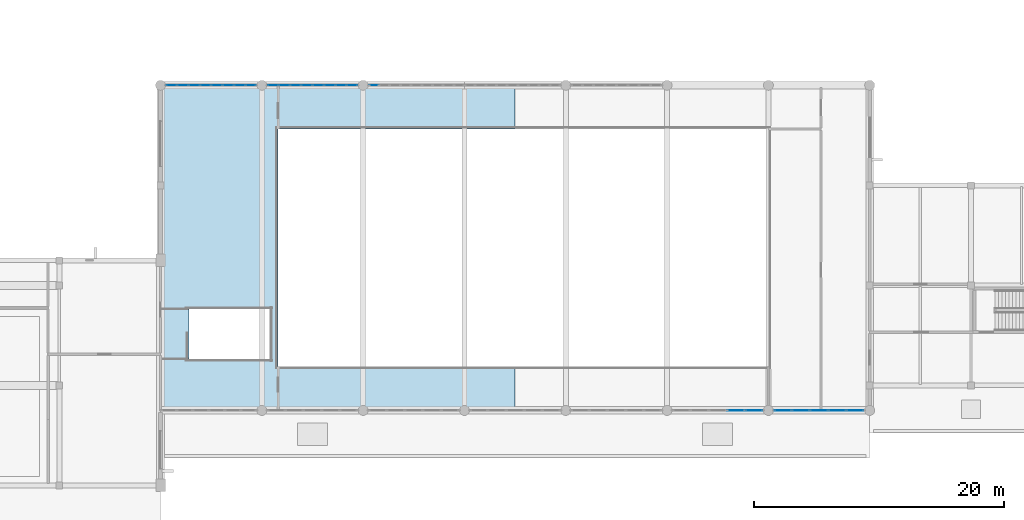
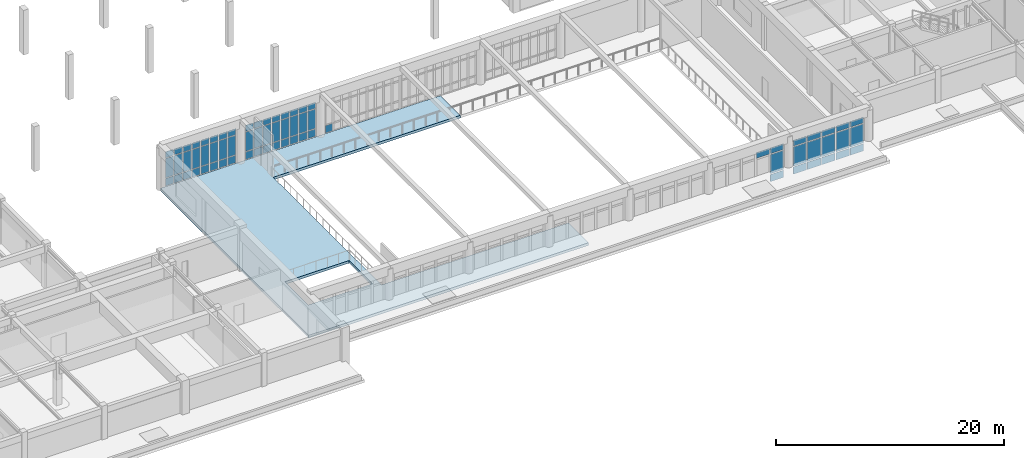
# One storey, part 31 of 61: 68 plates, 1 slab, 5 elements without a shape of their own.
"""IFC4 building model written with IfcOpenShell, lengths in metres."""

from ifc_helpers import new_model, si_unit, direction, frame, origin, origin_2d, place, context, subcontext, project, spatial, polyline, rectangle, outline, extrude, material, layer, layer_set, type_object, element, aggregate, save


model = new_model("IFC4")

# Units and contexts
model_context = context("Model", 3, precision=1e-05, world=origin(), true_north=direction((0.0, 1.0)))
body_context = subcontext(model_context, "Body", "Model", "MODEL_VIEW")
ifc_project = project(units=[si_unit("LENGTHUNIT", "METRE"), si_unit("AREAUNIT", "SQUARE_METRE"), si_unit("VOLUMEUNIT", "CUBIC_METRE"), si_unit("PLANEANGLEUNIT", "RADIAN"), si_unit("MASSUNIT", "GRAM", prefix="KILO")], contexts=[model_context])

# Site, building, storey
site_placement = place(None, origin())
site = spatial("IfcSite", under=ifc_project, at=site_placement, CompositionType="ELEMENT")
building_placement = place(site_placement, origin())
building = spatial("IfcBuilding", under=site, at=building_placement, Name="Tarnveldt Square Police Headquarters", CompositionType="ELEMENT")
storey_placement = place(building_placement, frame((0.0, 0.0, 5.39990234375)))
storey = spatial("IfcBuildingStorey", under=building, at=storey_placement, Name="L01", CompositionType="ELEMENT", Elevation=5.39990234375)

# Curtain wall, plates
ifc_material_1 = material(Name="Triple-glazed low-e laminated vision glass", Category="glass")
curtain_wall_type_1 = type_object("IfcCurtainWallType", Name="CW-EH-727x379", PredefinedType="USERDEFINED", material=ifc_material_1)
curtain_wall_1_placement = place(storey_placement, origin())
curtain_wall_1 = element("IfcCurtainWall", 1, at=curtain_wall_1_placement, inside=storey, type_object=curtain_wall_type_1, Name="L01 Curtain Wall CW-L01-012", ObjectType="GLAZED CURTAIN WALL", PredefinedType="USERDEFINED")
ifc_layer_1 = layer(ifc_material_1, 0.028076171875)
ifc_layer_set_1 = layer_set([ifc_layer_1], Name="Triple-glazed low-e laminated vision glass")
plate_type = type_object("IfcPlateType", Name="CWP-VIS-28", PredefinedType="CURTAIN_PANEL", material=ifc_layer_set_1)
plate_1_placement = place(storey_placement, frame((110.803955078125, 22.0, 3.08447265625), z_axis=(0.0, 0.0, 1.0), x_axis=(1.0, 0.0, 0.0)))
plate_1 = element("IfcPlate", 2, at=plate_1_placement, type_object=plate_type, Name="CW-EH05 panel 4.3", PredefinedType="CURTAIN_PANEL", context=body_context, shape_type="SweptSolid", body=[
    extrude(rectangle(XDim=1.368896484375, YDim=0.028076171875, at=origin_2d()), origin(), (0.0, 0.0, 1.0), 0.62255859375),
])
plate_2_placement = place(storey_placement, frame((112.23681640625, 22.0, 0.085205078125), z_axis=(0.0, 0.0, 1.0), x_axis=(1.0, 0.0, 0.0)))
plate_2 = element("IfcPlate", 3, at=plate_2_placement, type_object=plate_type, Name="CW-EH05 panel 5.1", PredefinedType="CURTAIN_PANEL", context=body_context, shape_type="SweptSolid", body=[
    extrude(rectangle(XDim=1.326416015625, YDim=0.028076171875, at=origin_2d()), origin(), (0.0, 0.0, 1.0), 0.7724609375),
])
plate_3_placement = place(storey_placement, frame((112.23681640625, 22.0, 0.94287109375), z_axis=(0.0, 0.0, 1.0), x_axis=(1.0, 0.0, 0.0)))
plate_3 = element("IfcPlate", 4, at=plate_3_placement, type_object=plate_type, Name="CW-EH05 panel 5.2", PredefinedType="CURTAIN_PANEL", context=body_context, shape_type="SweptSolid", body=[
    extrude(rectangle(XDim=1.326416015625, YDim=0.028076171875, at=origin_2d()), origin(), (0.0, 0.0, 1.0), 2.056884765625),
])
plate_4_placement = place(storey_placement, frame((112.23681640625, 22.0, 3.08447265625), z_axis=(0.0, 0.0, 1.0), x_axis=(1.0, 0.0, 0.0)))
plate_4 = element("IfcPlate", 5, at=plate_4_placement, type_object=plate_type, Name="CW-EH05 panel 5.3", PredefinedType="CURTAIN_PANEL", context=body_context, shape_type="SweptSolid", body=[
    extrude(rectangle(XDim=1.326416015625, YDim=0.028076171875, at=origin_2d()), origin(), (0.0, 0.0, 1.0), 0.62255859375),
])
aggregate(curtain_wall_1, [plate_1, plate_2, plate_3, plate_4])

curtain_wall_2_placement = place(storey_placement, origin())
curtain_wall_2 = element("IfcCurtainWall", 6, at=curtain_wall_2_placement, inside=storey, type_object=curtain_wall_type_1, Name="L01 Curtain Wall CW-L01-013", ObjectType="GLAZED CURTAIN WALL", PredefinedType="USERDEFINED")
plate_5_placement = place(storey_placement, frame((114.563232421875, 22.0, 0.085205078125), z_axis=(0.0, 0.0, 1.0), x_axis=(1.0, 0.0, 0.0)))
plate_5 = element("IfcPlate", 7, at=plate_5_placement, type_object=plate_type, Name="CW-EH05 panel 1.1", PredefinedType="CURTAIN_PANEL", context=body_context, shape_type="SweptSolid", body=[
    extrude(rectangle(XDim=1.326416015625, YDim=0.028076171875, at=origin_2d()), origin(), (0.0, 0.0, 1.0), 0.7724609375),
])
plate_6_placement = place(storey_placement, frame((114.563232421875, 22.0, 0.94287109375), z_axis=(0.0, 0.0, 1.0), x_axis=(1.0, 0.0, 0.0)))
plate_6 = element("IfcPlate", 8, at=plate_6_placement, type_object=plate_type, Name="CW-EH05 panel 1.2", PredefinedType="CURTAIN_PANEL", context=body_context, shape_type="SweptSolid", body=[
    extrude(rectangle(XDim=1.326416015625, YDim=0.028076171875, at=origin_2d()), origin(), (0.0, 0.0, 1.0), 2.056884765625),
])
plate_7_placement = place(storey_placement, frame((114.563232421875, 22.0, 3.08447265625), z_axis=(0.0, 0.0, 1.0), x_axis=(1.0, 0.0, 0.0)))
plate_7 = element("IfcPlate", 9, at=plate_7_placement, type_object=plate_type, Name="CW-EH05 panel 1.3", PredefinedType="CURTAIN_PANEL", context=body_context, shape_type="SweptSolid", body=[
    extrude(rectangle(XDim=1.326416015625, YDim=0.028076171875, at=origin_2d()), origin(), (0.0, 0.0, 1.0), 0.62255859375),
])
plate_8_placement = place(storey_placement, frame((115.99609375, 22.0, 0.085205078125), z_axis=(0.0, 0.0, 1.0), x_axis=(1.0, 0.0, 0.0)))
plate_8 = element("IfcPlate", 10, at=plate_8_placement, type_object=plate_type, Name="CW-EH05 panel 2.1", PredefinedType="CURTAIN_PANEL", context=body_context, shape_type="SweptSolid", body=[
    extrude(rectangle(XDim=1.368896484375, YDim=0.028076171875, at=origin_2d()), origin(), (0.0, 0.0, 1.0), 0.7724609375),
])
plate_9_placement = place(storey_placement, frame((115.99609375, 22.0, 0.94287109375), z_axis=(0.0, 0.0, 1.0), x_axis=(1.0, 0.0, 0.0)))
plate_9 = element("IfcPlate", 11, at=plate_9_placement, type_object=plate_type, Name="CW-EH05 panel 2.2", PredefinedType="CURTAIN_PANEL", context=body_context, shape_type="SweptSolid", body=[
    extrude(rectangle(XDim=1.368896484375, YDim=0.028076171875, at=origin_2d()), origin(), (0.0, 0.0, 1.0), 2.056884765625),
])
plate_10_placement = place(storey_placement, frame((115.99609375, 22.0, 3.08447265625), z_axis=(0.0, 0.0, 1.0), x_axis=(1.0, 0.0, 0.0)))
plate_10 = element("IfcPlate", 12, at=plate_10_placement, type_object=plate_type, Name="CW-EH05 panel 2.3", PredefinedType="CURTAIN_PANEL", context=body_context, shape_type="SweptSolid", body=[
    extrude(rectangle(XDim=1.368896484375, YDim=0.028076171875, at=origin_2d()), origin(), (0.0, 0.0, 1.0), 0.62255859375),
])
plate_11_placement = place(storey_placement, frame((117.449951171875, 22.0, 0.085205078125), z_axis=(0.0, 0.0, 1.0), x_axis=(1.0, 0.0, 0.0)))
plate_11 = element("IfcPlate", 13, at=plate_11_placement, type_object=plate_type, Name="CW-EH05 panel 3.1", PredefinedType="CURTAIN_PANEL", context=body_context, shape_type="SweptSolid", body=[
    extrude(rectangle(XDim=1.368896484375, YDim=0.028076171875, at=origin_2d()), origin(), (0.0, 0.0, 1.0), 0.7724609375),
])
plate_12_placement = place(storey_placement, frame((117.449951171875, 22.0, 0.94287109375), z_axis=(0.0, 0.0, 1.0), x_axis=(1.0, 0.0, 0.0)))
plate_12 = element("IfcPlate", 14, at=plate_12_placement, type_object=plate_type, Name="CW-EH05 panel 3.2", PredefinedType="CURTAIN_PANEL", context=body_context, shape_type="SweptSolid", body=[
    extrude(rectangle(XDim=1.368896484375, YDim=0.028076171875, at=origin_2d()), origin(), (0.0, 0.0, 1.0), 2.056884765625),
])
plate_13_placement = place(storey_placement, frame((117.449951171875, 22.0, 3.08447265625), z_axis=(0.0, 0.0, 1.0), x_axis=(1.0, 0.0, 0.0)))
plate_13 = element("IfcPlate", 15, at=plate_13_placement, type_object=plate_type, Name="CW-EH05 panel 3.3", PredefinedType="CURTAIN_PANEL", context=body_context, shape_type="SweptSolid", body=[
    extrude(rectangle(XDim=1.368896484375, YDim=0.028076171875, at=origin_2d()), origin(), (0.0, 0.0, 1.0), 0.62255859375),
])
plate_14_placement = place(storey_placement, frame((118.904052734375, 22.0, 0.085205078125), z_axis=(0.0, 0.0, 1.0), x_axis=(1.0, 0.0, 0.0)))
plate_14 = element("IfcPlate", 16, at=plate_14_placement, type_object=plate_type, Name="CW-EH05 panel 4.1", PredefinedType="CURTAIN_PANEL", context=body_context, shape_type="SweptSolid", body=[
    extrude(rectangle(XDim=1.368896484375, YDim=0.028076171875, at=origin_2d()), origin(), (0.0, 0.0, 1.0), 0.7724609375),
])
plate_15_placement = place(storey_placement, frame((118.904052734375, 22.0, 0.94287109375), z_axis=(0.0, 0.0, 1.0), x_axis=(1.0, 0.0, 0.0)))
plate_15 = element("IfcPlate", 17, at=plate_15_placement, type_object=plate_type, Name="CW-EH05 panel 4.2", PredefinedType="CURTAIN_PANEL", context=body_context, shape_type="SweptSolid", body=[
    extrude(rectangle(XDim=1.368896484375, YDim=0.028076171875, at=origin_2d()), origin(), (0.0, 0.0, 1.0), 2.056884765625),
])
plate_16_placement = place(storey_placement, frame((118.904052734375, 22.0, 3.08447265625), z_axis=(0.0, 0.0, 1.0), x_axis=(1.0, 0.0, 0.0)))
plate_16 = element("IfcPlate", 18, at=plate_16_placement, type_object=plate_type, Name="CW-EH05 panel 4.3", PredefinedType="CURTAIN_PANEL", context=body_context, shape_type="SweptSolid", body=[
    extrude(rectangle(XDim=1.368896484375, YDim=0.028076171875, at=origin_2d()), origin(), (0.0, 0.0, 1.0), 0.62255859375),
])
plate_17_placement = place(storey_placement, frame((120.336669921875, 22.0, 0.085205078125), z_axis=(0.0, 0.0, 1.0), x_axis=(1.0, 0.0, 0.0)))
plate_17 = element("IfcPlate", 19, at=plate_17_placement, type_object=plate_type, Name="CW-EH05 panel 5.1", PredefinedType="CURTAIN_PANEL", context=body_context, shape_type="SweptSolid", body=[
    extrude(rectangle(XDim=1.326416015625, YDim=0.028076171875, at=origin_2d()), origin(), (0.0, 0.0, 1.0), 0.7724609375),
])
plate_18_placement = place(storey_placement, frame((120.336669921875, 22.0, 0.94287109375), z_axis=(0.0, 0.0, 1.0), x_axis=(1.0, 0.0, 0.0)))
plate_18 = element("IfcPlate", 20, at=plate_18_placement, type_object=plate_type, Name="CW-EH05 panel 5.2", PredefinedType="CURTAIN_PANEL", context=body_context, shape_type="SweptSolid", body=[
    extrude(rectangle(XDim=1.326416015625, YDim=0.028076171875, at=origin_2d()), origin(), (0.0, 0.0, 1.0), 2.056884765625),
])
plate_19_placement = place(storey_placement, frame((120.336669921875, 22.0, 3.08447265625), z_axis=(0.0, 0.0, 1.0), x_axis=(1.0, 0.0, 0.0)))
plate_19 = element("IfcPlate", 21, at=plate_19_placement, type_object=plate_type, Name="CW-EH05 panel 5.3", PredefinedType="CURTAIN_PANEL", context=body_context, shape_type="SweptSolid", body=[
    extrude(rectangle(XDim=1.326416015625, YDim=0.028076171875, at=origin_2d()), origin(), (0.0, 0.0, 1.0), 0.62255859375),
])
aggregate(curtain_wall_2, [plate_5, plate_6, plate_7, plate_8, plate_9, plate_10, plate_11, plate_12, plate_13, plate_14, plate_15, plate_16, plate_17, plate_18, plate_19])

curtain_wall_type_2 = type_object("IfcCurtainWallType", Name="CW-CT-727x379", PredefinedType="USERDEFINED", material=ifc_material_1)
curtain_wall_3_placement = place(storey_placement, origin())
curtain_wall_3 = element("IfcCurtainWall", 22, at=curtain_wall_3_placement, inside=storey, type_object=curtain_wall_type_2, Name="L01 Curtain Wall CW-L01-018", ObjectType="GLAZED CURTAIN WALL", PredefinedType="USERDEFINED")
plate_20_placement = place(storey_placement, frame((65.688232421875, 48.0, 0.074951171875), z_axis=(0.0, 0.0, 1.0), x_axis=(1.0, 0.0, 0.0)))
plate_20 = element("IfcPlate", 23, at=plate_20_placement, type_object=plate_type, Name="CW-CT09 panel 1.1", PredefinedType="CURTAIN_PANEL", context=body_context, shape_type="SweptSolid", body=[
    extrude(rectangle(XDim=0.796142578125, YDim=0.028076171875, at=origin_2d()), origin(), (0.0, 0.0, 1.0), 0.78759765625),
])
plate_21_placement = place(storey_placement, frame((65.688232421875, 48.0, 0.937744140625), z_axis=(0.0, 0.0, 1.0), x_axis=(1.0, 0.0, 0.0)))
plate_21 = element("IfcPlate", 24, at=plate_21_placement, type_object=plate_type, Name="CW-CT09 panel 1.2", PredefinedType="CURTAIN_PANEL", context=body_context, shape_type="SweptSolid", body=[
    extrude(rectangle(XDim=0.796142578125, YDim=0.028076171875, at=origin_2d()), origin(), (0.0, 0.0, 1.0), 2.06689453125),
])
plate_22_placement = place(storey_placement, frame((65.688232421875, 48.0, 3.07958984375), z_axis=(0.0, 0.0, 1.0), x_axis=(1.0, 0.0, 0.0)))
plate_22 = element("IfcPlate", 25, at=plate_22_placement, type_object=plate_type, Name="CW-CT09 panel 1.3", PredefinedType="CURTAIN_PANEL", context=body_context, shape_type="SweptSolid", body=[
    extrude(rectangle(XDim=0.796142578125, YDim=0.028076171875, at=origin_2d()), origin(), (0.0, 0.0, 1.0), 0.637451171875),
])
plate_23_placement = place(storey_placement, frame((66.578125, 48.0, 0.074951171875), z_axis=(0.0, 0.0, 1.0), x_axis=(1.0, 0.0, 0.0)))
plate_23 = element("IfcPlate", 26, at=plate_23_placement, type_object=plate_type, Name="CW-CT09 panel 2.1", PredefinedType="CURTAIN_PANEL", context=body_context, shape_type="SweptSolid", body=[
    extrude(rectangle(XDim=0.833740234375, YDim=0.028076171875, at=origin_2d()), origin(), (0.0, 0.0, 1.0), 0.78759765625),
])
plate_24_placement = place(storey_placement, frame((66.578125, 48.0, 0.937744140625), z_axis=(0.0, 0.0, 1.0), x_axis=(1.0, 0.0, 0.0)))
plate_24 = element("IfcPlate", 27, at=plate_24_placement, type_object=plate_type, Name="CW-CT09 panel 2.2", PredefinedType="CURTAIN_PANEL", context=body_context, shape_type="SweptSolid", body=[
    extrude(rectangle(XDim=0.833740234375, YDim=0.028076171875, at=origin_2d()), origin(), (0.0, 0.0, 1.0), 2.06689453125),
])
plate_25_placement = place(storey_placement, frame((66.578125, 48.0, 3.07958984375), z_axis=(0.0, 0.0, 1.0), x_axis=(1.0, 0.0, 0.0)))
plate_25 = element("IfcPlate", 28, at=plate_25_placement, type_object=plate_type, Name="CW-CT09 panel 2.3", PredefinedType="CURTAIN_PANEL", context=body_context, shape_type="SweptSolid", body=[
    extrude(rectangle(XDim=0.833740234375, YDim=0.028076171875, at=origin_2d()), origin(), (0.0, 0.0, 1.0), 0.637451171875),
])
plate_26_placement = place(storey_placement, frame((67.48681640625, 48.0, 0.074951171875), z_axis=(0.0, 0.0, 1.0), x_axis=(1.0, 0.0, 0.0)))
plate_26 = element("IfcPlate", 29, at=plate_26_placement, type_object=plate_type, Name="CW-CT09 panel 3.1", PredefinedType="CURTAIN_PANEL", context=body_context, shape_type="SweptSolid", body=[
    extrude(rectangle(XDim=0.833740234375, YDim=0.028076171875, at=origin_2d()), origin(), (0.0, 0.0, 1.0), 0.78759765625),
])
plate_27_placement = place(storey_placement, frame((67.48681640625, 48.0, 0.937744140625), z_axis=(0.0, 0.0, 1.0), x_axis=(1.0, 0.0, 0.0)))
plate_27 = element("IfcPlate", 30, at=plate_27_placement, type_object=plate_type, Name="CW-CT09 panel 3.2", PredefinedType="CURTAIN_PANEL", context=body_context, shape_type="SweptSolid", body=[
    extrude(rectangle(XDim=0.833740234375, YDim=0.028076171875, at=origin_2d()), origin(), (0.0, 0.0, 1.0), 2.06689453125),
])
plate_28_placement = place(storey_placement, frame((67.48681640625, 48.0, 3.07958984375), z_axis=(0.0, 0.0, 1.0), x_axis=(1.0, 0.0, 0.0)))
plate_28 = element("IfcPlate", 31, at=plate_28_placement, type_object=plate_type, Name="CW-CT09 panel 3.3", PredefinedType="CURTAIN_PANEL", context=body_context, shape_type="SweptSolid", body=[
    extrude(rectangle(XDim=0.833740234375, YDim=0.028076171875, at=origin_2d()), origin(), (0.0, 0.0, 1.0), 0.637451171875),
])
plate_29_placement = place(storey_placement, frame((68.3955078125, 48.0, 0.074951171875), z_axis=(0.0, 0.0, 1.0), x_axis=(1.0, 0.0, 0.0)))
plate_29 = element("IfcPlate", 32, at=plate_29_placement, type_object=plate_type, Name="CW-CT09 panel 4.1", PredefinedType="CURTAIN_PANEL", context=body_context, shape_type="SweptSolid", body=[
    extrude(rectangle(XDim=0.833740234375, YDim=0.028076171875, at=origin_2d()), origin(), (0.0, 0.0, 1.0), 0.78759765625),
])
plate_30_placement = place(storey_placement, frame((68.3955078125, 48.0, 0.937744140625), z_axis=(0.0, 0.0, 1.0), x_axis=(1.0, 0.0, 0.0)))
plate_30 = element("IfcPlate", 33, at=plate_30_placement, type_object=plate_type, Name="CW-CT09 panel 4.2", PredefinedType="CURTAIN_PANEL", context=body_context, shape_type="SweptSolid", body=[
    extrude(rectangle(XDim=0.833740234375, YDim=0.028076171875, at=origin_2d()), origin(), (0.0, 0.0, 1.0), 2.06689453125),
])
plate_31_placement = place(storey_placement, frame((68.3955078125, 48.0, 3.07958984375), z_axis=(0.0, 0.0, 1.0), x_axis=(1.0, 0.0, 0.0)))
plate_31 = element("IfcPlate", 34, at=plate_31_placement, type_object=plate_type, Name="CW-CT09 panel 4.3", PredefinedType="CURTAIN_PANEL", context=body_context, shape_type="SweptSolid", body=[
    extrude(rectangle(XDim=0.833740234375, YDim=0.028076171875, at=origin_2d()), origin(), (0.0, 0.0, 1.0), 0.637451171875),
])
plate_32_placement = place(storey_placement, frame((69.304443359375, 48.0, 0.074951171875), z_axis=(0.0, 0.0, 1.0), x_axis=(1.0, 0.0, 0.0)))
plate_32 = element("IfcPlate", 35, at=plate_32_placement, type_object=plate_type, Name="CW-CT09 panel 5.1", PredefinedType="CURTAIN_PANEL", context=body_context, shape_type="SweptSolid", body=[
    extrude(rectangle(XDim=0.833740234375, YDim=0.028076171875, at=origin_2d()), origin(), (0.0, 0.0, 1.0), 0.78759765625),
])
plate_33_placement = place(storey_placement, frame((69.304443359375, 48.0, 0.937744140625), z_axis=(0.0, 0.0, 1.0), x_axis=(1.0, 0.0, 0.0)))
plate_33 = element("IfcPlate", 36, at=plate_33_placement, type_object=plate_type, Name="CW-CT09 panel 5.2", PredefinedType="CURTAIN_PANEL", context=body_context, shape_type="SweptSolid", body=[
    extrude(rectangle(XDim=0.833740234375, YDim=0.028076171875, at=origin_2d()), origin(), (0.0, 0.0, 1.0), 2.06689453125),
])
plate_34_placement = place(storey_placement, frame((69.304443359375, 48.0, 3.07958984375), z_axis=(0.0, 0.0, 1.0), x_axis=(1.0, 0.0, 0.0)))
plate_34 = element("IfcPlate", 37, at=plate_34_placement, type_object=plate_type, Name="CW-CT09 panel 5.3", PredefinedType="CURTAIN_PANEL", context=body_context, shape_type="SweptSolid", body=[
    extrude(rectangle(XDim=0.833740234375, YDim=0.028076171875, at=origin_2d()), origin(), (0.0, 0.0, 1.0), 0.637451171875),
])
plate_35_placement = place(storey_placement, frame((70.213134765625, 48.0, 0.074951171875), z_axis=(0.0, 0.0, 1.0), x_axis=(1.0, 0.0, 0.0)))
plate_35 = element("IfcPlate", 38, at=plate_35_placement, type_object=plate_type, Name="CW-CT09 panel 6.1", PredefinedType="CURTAIN_PANEL", context=body_context, shape_type="SweptSolid", body=[
    extrude(rectangle(XDim=0.833740234375, YDim=0.028076171875, at=origin_2d()), origin(), (0.0, 0.0, 1.0), 0.78759765625),
])
plate_36_placement = place(storey_placement, frame((70.213134765625, 48.0, 0.937744140625), z_axis=(0.0, 0.0, 1.0), x_axis=(1.0, 0.0, 0.0)))
plate_36 = element("IfcPlate", 39, at=plate_36_placement, type_object=plate_type, Name="CW-CT09 panel 6.2", PredefinedType="CURTAIN_PANEL", context=body_context, shape_type="SweptSolid", body=[
    extrude(rectangle(XDim=0.833740234375, YDim=0.028076171875, at=origin_2d()), origin(), (0.0, 0.0, 1.0), 2.06689453125),
])
plate_37_placement = place(storey_placement, frame((70.213134765625, 48.0, 3.07958984375), z_axis=(0.0, 0.0, 1.0), x_axis=(1.0, 0.0, 0.0)))
plate_37 = element("IfcPlate", 40, at=plate_37_placement, type_object=plate_type, Name="CW-CT09 panel 6.3", PredefinedType="CURTAIN_PANEL", context=body_context, shape_type="SweptSolid", body=[
    extrude(rectangle(XDim=0.833740234375, YDim=0.028076171875, at=origin_2d()), origin(), (0.0, 0.0, 1.0), 0.637451171875),
])
plate_38_placement = place(storey_placement, frame((71.121826171875, 48.0, 0.074951171875), z_axis=(0.0, 0.0, 1.0), x_axis=(1.0, 0.0, 0.0)))
plate_38 = element("IfcPlate", 41, at=plate_38_placement, type_object=plate_type, Name="CW-CT09 panel 7.1", PredefinedType="CURTAIN_PANEL", context=body_context, shape_type="SweptSolid", body=[
    extrude(rectangle(XDim=0.833740234375, YDim=0.028076171875, at=origin_2d()), origin(), (0.0, 0.0, 1.0), 0.78759765625),
])
plate_39_placement = place(storey_placement, frame((71.121826171875, 48.0, 0.937744140625), z_axis=(0.0, 0.0, 1.0), x_axis=(1.0, 0.0, 0.0)))
plate_39 = element("IfcPlate", 42, at=plate_39_placement, type_object=plate_type, Name="CW-CT09 panel 7.2", PredefinedType="CURTAIN_PANEL", context=body_context, shape_type="SweptSolid", body=[
    extrude(rectangle(XDim=0.833740234375, YDim=0.028076171875, at=origin_2d()), origin(), (0.0, 0.0, 1.0), 2.06689453125),
])
plate_40_placement = place(storey_placement, frame((71.121826171875, 48.0, 3.07958984375), z_axis=(0.0, 0.0, 1.0), x_axis=(1.0, 0.0, 0.0)))
plate_40 = element("IfcPlate", 43, at=plate_40_placement, type_object=plate_type, Name="CW-CT09 panel 7.3", PredefinedType="CURTAIN_PANEL", context=body_context, shape_type="SweptSolid", body=[
    extrude(rectangle(XDim=0.833740234375, YDim=0.028076171875, at=origin_2d()), origin(), (0.0, 0.0, 1.0), 0.637451171875),
])
plate_41_placement = place(storey_placement, frame((72.011962890625, 48.0, 0.074951171875), z_axis=(0.0, 0.0, 1.0), x_axis=(1.0, 0.0, 0.0)))
plate_41 = element("IfcPlate", 44, at=plate_41_placement, type_object=plate_type, Name="CW-CT09 panel 8.1", PredefinedType="CURTAIN_PANEL", context=body_context, shape_type="SweptSolid", body=[
    extrude(rectangle(XDim=0.796142578125, YDim=0.028076171875, at=origin_2d()), origin(), (0.0, 0.0, 1.0), 0.78759765625),
])
plate_42_placement = place(storey_placement, frame((72.011962890625, 48.0, 0.937744140625), z_axis=(0.0, 0.0, 1.0), x_axis=(1.0, 0.0, 0.0)))
plate_42 = element("IfcPlate", 45, at=plate_42_placement, type_object=plate_type, Name="CW-CT09 panel 8.2", PredefinedType="CURTAIN_PANEL", context=body_context, shape_type="SweptSolid", body=[
    extrude(rectangle(XDim=0.796142578125, YDim=0.028076171875, at=origin_2d()), origin(), (0.0, 0.0, 1.0), 2.06689453125),
])
plate_43_placement = place(storey_placement, frame((72.011962890625, 48.0, 3.07958984375), z_axis=(0.0, 0.0, 1.0), x_axis=(1.0, 0.0, 0.0)))
plate_43 = element("IfcPlate", 46, at=plate_43_placement, type_object=plate_type, Name="CW-CT09 panel 8.3", PredefinedType="CURTAIN_PANEL", context=body_context, shape_type="SweptSolid", body=[
    extrude(rectangle(XDim=0.796142578125, YDim=0.028076171875, at=origin_2d()), origin(), (0.0, 0.0, 1.0), 0.637451171875),
])
aggregate(curtain_wall_3, [plate_20, plate_21, plate_22, plate_23, plate_24, plate_25, plate_26, plate_27, plate_28, plate_29, plate_30, plate_31, plate_32, plate_33, plate_34, plate_35, plate_36, plate_37, plate_38, plate_39, plate_40, plate_41, plate_42, plate_43])

curtain_wall_4_placement = place(storey_placement, origin())
curtain_wall_4 = element("IfcCurtainWall", 47, at=curtain_wall_4_placement, inside=storey, type_object=curtain_wall_type_2, Name="L01 Curtain Wall CW-L01-019", ObjectType="GLAZED CURTAIN WALL", PredefinedType="USERDEFINED")
plate_44_placement = place(storey_placement, frame((73.7880859375, 48.0, 0.074951171875), z_axis=(0.0, 0.0, 1.0), x_axis=(1.0, 0.0, 0.0)))
plate_44 = element("IfcPlate", 48, at=plate_44_placement, type_object=plate_type, Name="CW-CT09 panel 1.1", PredefinedType="CURTAIN_PANEL", context=body_context, shape_type="SweptSolid", body=[
    extrude(rectangle(XDim=0.796142578125, YDim=0.028076171875, at=origin_2d()), origin(), (0.0, 0.0, 1.0), 0.78759765625),
])
plate_45_placement = place(storey_placement, frame((73.7880859375, 48.0, 0.937744140625), z_axis=(0.0, 0.0, 1.0), x_axis=(1.0, 0.0, 0.0)))
plate_45 = element("IfcPlate", 49, at=plate_45_placement, type_object=plate_type, Name="CW-CT09 panel 1.2", PredefinedType="CURTAIN_PANEL", context=body_context, shape_type="SweptSolid", body=[
    extrude(rectangle(XDim=0.796142578125, YDim=0.028076171875, at=origin_2d()), origin(), (0.0, 0.0, 1.0), 2.06689453125),
])
plate_46_placement = place(storey_placement, frame((73.7880859375, 48.0, 3.07958984375), z_axis=(0.0, 0.0, 1.0), x_axis=(1.0, 0.0, 0.0)))
plate_46 = element("IfcPlate", 50, at=plate_46_placement, type_object=plate_type, Name="CW-CT09 panel 1.3", PredefinedType="CURTAIN_PANEL", context=body_context, shape_type="SweptSolid", body=[
    extrude(rectangle(XDim=0.796142578125, YDim=0.028076171875, at=origin_2d()), origin(), (0.0, 0.0, 1.0), 0.637451171875),
])
plate_47_placement = place(storey_placement, frame((74.67822265625, 48.0, 0.074951171875), z_axis=(0.0, 0.0, 1.0), x_axis=(1.0, 0.0, 0.0)))
plate_47 = element("IfcPlate", 51, at=plate_47_placement, type_object=plate_type, Name="CW-CT09 panel 2.1", PredefinedType="CURTAIN_PANEL", context=body_context, shape_type="SweptSolid", body=[
    extrude(rectangle(XDim=0.833740234375, YDim=0.028076171875, at=origin_2d()), origin(), (0.0, 0.0, 1.0), 0.78759765625),
])
plate_48_placement = place(storey_placement, frame((74.67822265625, 48.0, 0.937744140625), z_axis=(0.0, 0.0, 1.0), x_axis=(1.0, 0.0, 0.0)))
plate_48 = element("IfcPlate", 52, at=plate_48_placement, type_object=plate_type, Name="CW-CT09 panel 2.2", PredefinedType="CURTAIN_PANEL", context=body_context, shape_type="SweptSolid", body=[
    extrude(rectangle(XDim=0.833740234375, YDim=0.028076171875, at=origin_2d()), origin(), (0.0, 0.0, 1.0), 2.06689453125),
])
plate_49_placement = place(storey_placement, frame((74.67822265625, 48.0, 3.07958984375), z_axis=(0.0, 0.0, 1.0), x_axis=(1.0, 0.0, 0.0)))
plate_49 = element("IfcPlate", 53, at=plate_49_placement, type_object=plate_type, Name="CW-CT09 panel 2.3", PredefinedType="CURTAIN_PANEL", context=body_context, shape_type="SweptSolid", body=[
    extrude(rectangle(XDim=0.833740234375, YDim=0.028076171875, at=origin_2d()), origin(), (0.0, 0.0, 1.0), 0.637451171875),
])
plate_50_placement = place(storey_placement, frame((75.5869140625, 48.0, 0.074951171875), z_axis=(0.0, 0.0, 1.0), x_axis=(1.0, 0.0, 0.0)))
plate_50 = element("IfcPlate", 54, at=plate_50_placement, type_object=plate_type, Name="CW-CT09 panel 3.1", PredefinedType="CURTAIN_PANEL", context=body_context, shape_type="SweptSolid", body=[
    extrude(rectangle(XDim=0.833740234375, YDim=0.028076171875, at=origin_2d()), origin(), (0.0, 0.0, 1.0), 0.78759765625),
])
plate_51_placement = place(storey_placement, frame((75.5869140625, 48.0, 0.937744140625), z_axis=(0.0, 0.0, 1.0), x_axis=(1.0, 0.0, 0.0)))
plate_51 = element("IfcPlate", 55, at=plate_51_placement, type_object=plate_type, Name="CW-CT09 panel 3.2", PredefinedType="CURTAIN_PANEL", context=body_context, shape_type="SweptSolid", body=[
    extrude(rectangle(XDim=0.833740234375, YDim=0.028076171875, at=origin_2d()), origin(), (0.0, 0.0, 1.0), 2.06689453125),
])
plate_52_placement = place(storey_placement, frame((75.5869140625, 48.0, 3.07958984375), z_axis=(0.0, 0.0, 1.0), x_axis=(1.0, 0.0, 0.0)))
plate_52 = element("IfcPlate", 56, at=plate_52_placement, type_object=plate_type, Name="CW-CT09 panel 3.3", PredefinedType="CURTAIN_PANEL", context=body_context, shape_type="SweptSolid", body=[
    extrude(rectangle(XDim=0.833740234375, YDim=0.028076171875, at=origin_2d()), origin(), (0.0, 0.0, 1.0), 0.637451171875),
])
plate_53_placement = place(storey_placement, frame((76.49560546875, 48.0, 0.074951171875), z_axis=(0.0, 0.0, 1.0), x_axis=(1.0, 0.0, 0.0)))
plate_53 = element("IfcPlate", 57, at=plate_53_placement, type_object=plate_type, Name="CW-CT09 panel 4.1", PredefinedType="CURTAIN_PANEL", context=body_context, shape_type="SweptSolid", body=[
    extrude(rectangle(XDim=0.833740234375, YDim=0.028076171875, at=origin_2d()), origin(), (0.0, 0.0, 1.0), 0.78759765625),
])
plate_54_placement = place(storey_placement, frame((76.49560546875, 48.0, 0.937744140625), z_axis=(0.0, 0.0, 1.0), x_axis=(1.0, 0.0, 0.0)))
plate_54 = element("IfcPlate", 58, at=plate_54_placement, type_object=plate_type, Name="CW-CT09 panel 4.2", PredefinedType="CURTAIN_PANEL", context=body_context, shape_type="SweptSolid", body=[
    extrude(rectangle(XDim=0.833740234375, YDim=0.028076171875, at=origin_2d()), origin(), (0.0, 0.0, 1.0), 2.06689453125),
])
plate_55_placement = place(storey_placement, frame((76.49560546875, 48.0, 3.07958984375), z_axis=(0.0, 0.0, 1.0), x_axis=(1.0, 0.0, 0.0)))
plate_55 = element("IfcPlate", 59, at=plate_55_placement, type_object=plate_type, Name="CW-CT09 panel 4.3", PredefinedType="CURTAIN_PANEL", context=body_context, shape_type="SweptSolid", body=[
    extrude(rectangle(XDim=0.833740234375, YDim=0.028076171875, at=origin_2d()), origin(), (0.0, 0.0, 1.0), 0.637451171875),
])
plate_56_placement = place(storey_placement, frame((77.404296875, 48.0, 0.074951171875), z_axis=(0.0, 0.0, 1.0), x_axis=(1.0, 0.0, 0.0)))
plate_56 = element("IfcPlate", 60, at=plate_56_placement, type_object=plate_type, Name="CW-CT09 panel 5.1", PredefinedType="CURTAIN_PANEL", context=body_context, shape_type="SweptSolid", body=[
    extrude(rectangle(XDim=0.833740234375, YDim=0.028076171875, at=origin_2d()), origin(), (0.0, 0.0, 1.0), 0.78759765625),
])
plate_57_placement = place(storey_placement, frame((77.404296875, 48.0, 0.937744140625), z_axis=(0.0, 0.0, 1.0), x_axis=(1.0, 0.0, 0.0)))
plate_57 = element("IfcPlate", 61, at=plate_57_placement, type_object=plate_type, Name="CW-CT09 panel 5.2", PredefinedType="CURTAIN_PANEL", context=body_context, shape_type="SweptSolid", body=[
    extrude(rectangle(XDim=0.833740234375, YDim=0.028076171875, at=origin_2d()), origin(), (0.0, 0.0, 1.0), 2.06689453125),
])
plate_58_placement = place(storey_placement, frame((77.404296875, 48.0, 3.07958984375), z_axis=(0.0, 0.0, 1.0), x_axis=(1.0, 0.0, 0.0)))
plate_58 = element("IfcPlate", 62, at=plate_58_placement, type_object=plate_type, Name="CW-CT09 panel 5.3", PredefinedType="CURTAIN_PANEL", context=body_context, shape_type="SweptSolid", body=[
    extrude(rectangle(XDim=0.833740234375, YDim=0.028076171875, at=origin_2d()), origin(), (0.0, 0.0, 1.0), 0.637451171875),
])
plate_59_placement = place(storey_placement, frame((78.313232421875, 48.0, 0.074951171875), z_axis=(0.0, 0.0, 1.0), x_axis=(1.0, 0.0, 0.0)))
plate_59 = element("IfcPlate", 63, at=plate_59_placement, type_object=plate_type, Name="CW-CT09 panel 6.1", PredefinedType="CURTAIN_PANEL", context=body_context, shape_type="SweptSolid", body=[
    extrude(rectangle(XDim=0.833740234375, YDim=0.028076171875, at=origin_2d()), origin(), (0.0, 0.0, 1.0), 0.78759765625),
])
plate_60_placement = place(storey_placement, frame((78.313232421875, 48.0, 0.937744140625), z_axis=(0.0, 0.0, 1.0), x_axis=(1.0, 0.0, 0.0)))
plate_60 = element("IfcPlate", 64, at=plate_60_placement, type_object=plate_type, Name="CW-CT09 panel 6.2", PredefinedType="CURTAIN_PANEL", context=body_context, shape_type="SweptSolid", body=[
    extrude(rectangle(XDim=0.833740234375, YDim=0.028076171875, at=origin_2d()), origin(), (0.0, 0.0, 1.0), 2.06689453125),
])
plate_61_placement = place(storey_placement, frame((78.313232421875, 48.0, 3.07958984375), z_axis=(0.0, 0.0, 1.0), x_axis=(1.0, 0.0, 0.0)))
plate_61 = element("IfcPlate", 65, at=plate_61_placement, type_object=plate_type, Name="CW-CT09 panel 6.3", PredefinedType="CURTAIN_PANEL", context=body_context, shape_type="SweptSolid", body=[
    extrude(rectangle(XDim=0.833740234375, YDim=0.028076171875, at=origin_2d()), origin(), (0.0, 0.0, 1.0), 0.637451171875),
])
plate_62_placement = place(storey_placement, frame((79.221923828125, 48.0, 0.074951171875), z_axis=(0.0, 0.0, 1.0), x_axis=(1.0, 0.0, 0.0)))
plate_62 = element("IfcPlate", 66, at=plate_62_placement, type_object=plate_type, Name="CW-CT09 panel 7.1", PredefinedType="CURTAIN_PANEL", context=body_context, shape_type="SweptSolid", body=[
    extrude(rectangle(XDim=0.833740234375, YDim=0.028076171875, at=origin_2d()), origin(), (0.0, 0.0, 1.0), 0.78759765625),
])
plate_63_placement = place(storey_placement, frame((79.221923828125, 48.0, 0.937744140625), z_axis=(0.0, 0.0, 1.0), x_axis=(1.0, 0.0, 0.0)))
plate_63 = element("IfcPlate", 67, at=plate_63_placement, type_object=plate_type, Name="CW-CT09 panel 7.2", PredefinedType="CURTAIN_PANEL", context=body_context, shape_type="SweptSolid", body=[
    extrude(rectangle(XDim=0.833740234375, YDim=0.028076171875, at=origin_2d()), origin(), (0.0, 0.0, 1.0), 2.06689453125),
])
plate_64_placement = place(storey_placement, frame((79.221923828125, 48.0, 3.07958984375), z_axis=(0.0, 0.0, 1.0), x_axis=(1.0, 0.0, 0.0)))
plate_64 = element("IfcPlate", 68, at=plate_64_placement, type_object=plate_type, Name="CW-CT09 panel 7.3", PredefinedType="CURTAIN_PANEL", context=body_context, shape_type="SweptSolid", body=[
    extrude(rectangle(XDim=0.833740234375, YDim=0.028076171875, at=origin_2d()), origin(), (0.0, 0.0, 1.0), 0.637451171875),
])
plate_65_placement = place(storey_placement, frame((80.11181640625, 48.0, 0.074951171875), z_axis=(0.0, 0.0, 1.0), x_axis=(1.0, 0.0, 0.0)))
plate_65 = element("IfcPlate", 69, at=plate_65_placement, type_object=plate_type, Name="CW-CT09 panel 8.1", PredefinedType="CURTAIN_PANEL", context=body_context, shape_type="SweptSolid", body=[
    extrude(rectangle(XDim=0.796142578125, YDim=0.028076171875, at=origin_2d()), origin(), (0.0, 0.0, 1.0), 0.78759765625),
])
plate_66_placement = place(storey_placement, frame((80.11181640625, 48.0, 0.937744140625), z_axis=(0.0, 0.0, 1.0), x_axis=(1.0, 0.0, 0.0)))
plate_66 = element("IfcPlate", 70, at=plate_66_placement, type_object=plate_type, Name="CW-CT09 panel 8.2", PredefinedType="CURTAIN_PANEL", context=body_context, shape_type="SweptSolid", body=[
    extrude(rectangle(XDim=0.796142578125, YDim=0.028076171875, at=origin_2d()), origin(), (0.0, 0.0, 1.0), 2.06689453125),
])
plate_67_placement = place(storey_placement, frame((80.11181640625, 48.0, 3.07958984375), z_axis=(0.0, 0.0, 1.0), x_axis=(1.0, 0.0, 0.0)))
plate_67 = element("IfcPlate", 71, at=plate_67_placement, type_object=plate_type, Name="CW-CT09 panel 8.3", PredefinedType="CURTAIN_PANEL", context=body_context, shape_type="SweptSolid", body=[
    extrude(rectangle(XDim=0.796142578125, YDim=0.028076171875, at=origin_2d()), origin(), (0.0, 0.0, 1.0), 0.637451171875),
])
aggregate(curtain_wall_4, [plate_44, plate_45, plate_46, plate_47, plate_48, plate_49, plate_50, plate_51, plate_52, plate_53, plate_54, plate_55, plate_56, plate_57, plate_58, plate_59, plate_60, plate_61, plate_62, plate_63, plate_64, plate_65, plate_66, plate_67])

# Curtain wall, plate
curtain_wall_type_3 = type_object("IfcCurtainWallType", Name="CW-CT-768x379", PredefinedType="USERDEFINED", material=ifc_material_1)
curtain_wall_5_placement = place(storey_placement, origin())
curtain_wall_5 = element("IfcCurtainWall", 72, at=curtain_wall_5_placement, inside=storey, type_object=curtain_wall_type_3, Name="L01 Curtain Wall CW-L01-020", ObjectType="GLAZED CURTAIN WALL", PredefinedType="USERDEFINED")
plate_68_placement = place(storey_placement, frame((81.860595703125, 48.0, 0.074951171875), z_axis=(0.0, 0.0, 1.0), x_axis=(1.0, 0.0, 0.0)))
plate_68 = element("IfcPlate", 73, at=plate_68_placement, type_object=plate_type, Name="CW-CT10 panel 1.1", PredefinedType="CURTAIN_PANEL", context=body_context, shape_type="SweptSolid", body=[
    extrude(rectangle(XDim=0.741455078125, YDim=0.028076171875, at=origin_2d()), origin(), (0.0, 0.0, 1.0), 0.78759765625),
])
aggregate(curtain_wall_5, [plate_68])

# Slab
ifc_material_2 = material(Name="Concrete 40 MPa", Category="concrete")
ifc_layer_2 = layer(ifc_material_2, 0.280029296875)
ifc_layer_set_2 = layer_set([ifc_layer_2], Name="Concrete 40 MPa")
slab_type = type_object("IfcSlabType", Name="SL-POD-280", PredefinedType="FLOOR", material=ifc_layer_set_2)
slab_placement = place(storey_placement, frame((0.0, 0.0, -0.27978515625)))
element("IfcSlab", 74, at=slab_placement, inside=storey, type_object=slab_type, Name="L01 Structural Floor Slab L01-V1-1", PredefinedType="FLOOR", context=body_context, shape_type="SweptSolid", body=[
    extrude(outline(polyline([(64.800048828125, 22.0), (64.800048828125, 34.0), (64.800048828125, 48.0), (93.14990234375, 48.0), (93.14990234375, 44.5), (74.199951171875, 44.5), (74.199951171875, 25.5), (93.14990234375, 25.5), (93.14990234375, 22.0), (64.800048828125, 22.0)]), holes=[polyline([(67.090087890625, 30.14990234375), (67.090087890625, 26.050048828125), (73.60009765625, 26.050048828125), (73.60009765625, 30.14990234375), (67.090087890625, 30.14990234375)])]), origin(), (0.0, 0.0, 1.0), 0.27978515625),
])

save(model, "model.ifc")
